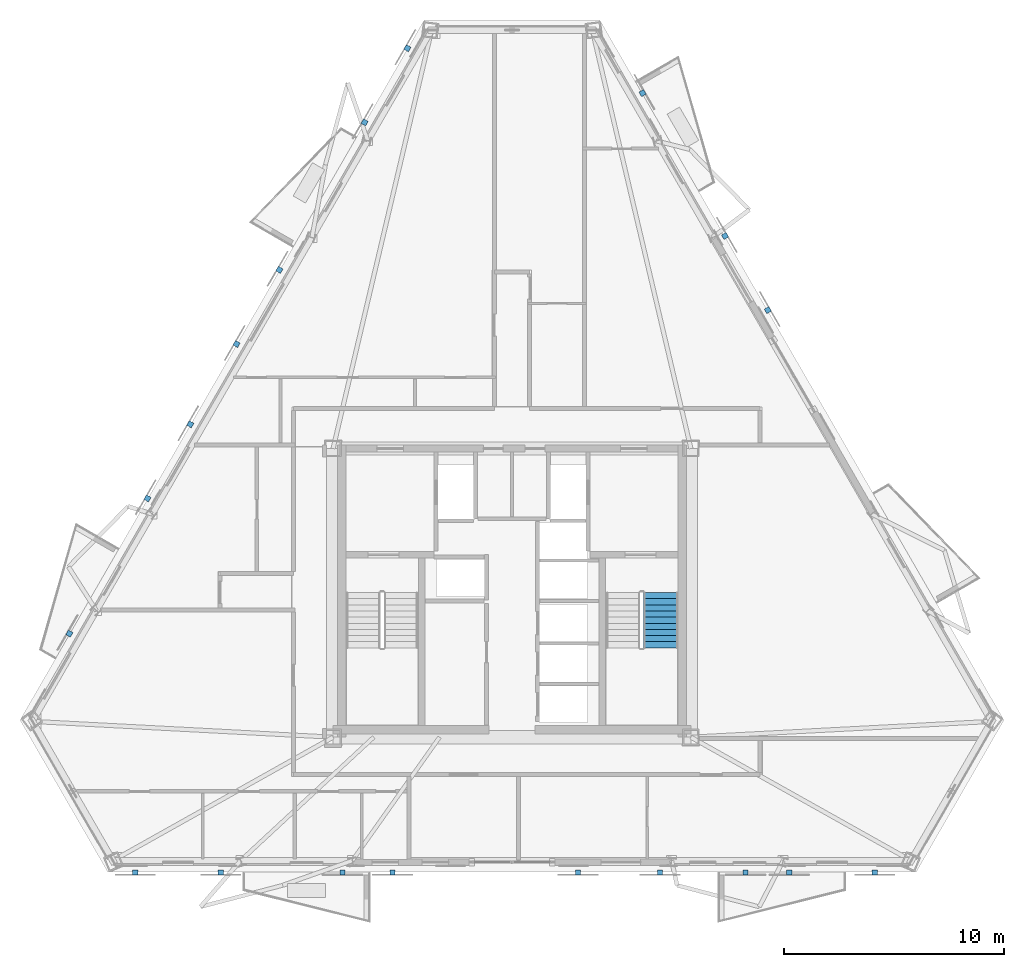
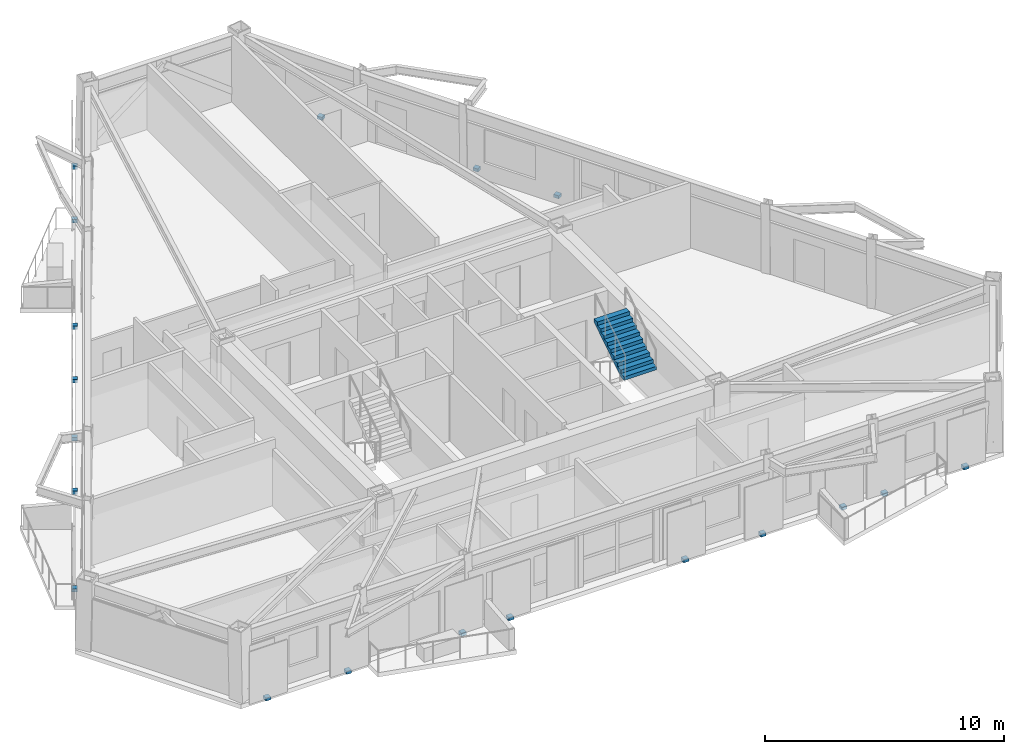
# One storey, part 9 of 13: 19 discrete accessories, 1 stair flight, 1 element without a shape of its own.
"""IFC4 building model written with IfcOpenShell, lengths in metres."""

import ifcopenshell
import ifcopenshell.guid

model = None  # the IFC model being written
_history = None  # IfcOwnerHistory: only IFC2X3 demands one
_inside = {}  # id of a spatial element -> (the spatial element, [elements in it])
_under = {}  # id of a project, library or spatial element -> (it, [spatial elements below it])
_declared = {}  # id of a project -> (the project, [libraries it declares])
_typed = {}  # id of a type object -> (the type object, [elements of that type])
_made_of = {}  # id of a material, layer set ... -> (it, [elements and type objects made of it])


def new_model(schema):
    """Start an empty IFC model of exactly this schema.

    Asked for "IFC4X3", IfcOpenShell would pick the latest addendum, in which some entities
    have other attributes; the version numbers below select the first issue.
    IFC2X3 requires an IfcOwnerHistory on every rooted entity: one is made here for all.
    """
    global model, _history
    if schema == "IFC4X3":
        model = ifcopenshell.file(schema_version=(4, 3, 0, 0))
    else:
        model = ifcopenshell.file(schema=schema)
    _inside.clear()
    _under.clear()
    _declared.clear()
    _typed.clear()
    _made_of.clear()
    _history = None
    if model.schema == "IFC2X3":
        org = make("IfcOrganization", Name="unknown")
        user = make(
            "IfcPersonAndOrganization",
            ThePerson=make("IfcPerson", FamilyName="unknown"),
            TheOrganization=org,
        )
        app = make(
            "IfcApplication",
            ApplicationDeveloper=org,
            Version="unknown",
            ApplicationFullName="unknown",
            ApplicationIdentifier="unknown",
        )
        _history = make(
            "IfcOwnerHistory",
            OwningUser=user,
            OwningApplication=app,
            ChangeAction="ADDED",
            CreationDate=0,
        )
    return model


def make(cls, **values):
    """One entity of the class cls with the attributes given. An attribute that is None is left unset."""
    return model.create_entity(
        cls, **{name: value for name, value in values.items() if value is not None}
    )


def rooted(cls, **values):
    """An entity with a GlobalId (a new one), such as an element, a storey or a relation."""
    return make(cls, GlobalId=ifcopenshell.guid.new(), OwnerHistory=_history, **values)


def si_unit(unit_type, name, prefix=None):
    """IfcSIUnit, for example si_unit("LENGTHUNIT", "METRE", prefix="MILLI")."""
    return make("IfcSIUnit", UnitType=unit_type, Prefix=prefix, Name=name)


def assignment(units):
    """IfcUnitAssignment: the units of a project."""
    return None if units is None else make("IfcUnitAssignment", Units=units)


def point(xyz):
    """IfcCartesianPoint."""
    return None if xyz is None else make("IfcCartesianPoint", Coordinates=xyz)


def direction(xyz):
    """IfcDirection."""
    return None if xyz is None else make("IfcDirection", DirectionRatios=xyz)


def frame(location, z_axis=None, x_axis=None):
    """IfcAxis2Placement3D, a coordinate frame: its origin and axes. An axis left out is left unset."""
    return make(
        "IfcAxis2Placement3D",
        Location=point(location),
        Axis=direction(z_axis),
        RefDirection=direction(x_axis),
    )


def frame_2d(location, x_axis=None):
    """IfcAxis2Placement2D, a coordinate frame in the plane: its origin and x axis."""
    return make(
        "IfcAxis2Placement2D", Location=point(location), RefDirection=direction(x_axis)
    )


def origin():
    """The frame at (0, 0, 0) with its axes left unset."""
    return frame((0.0, 0.0, 0.0))


def origin_2d():
    """The frame at (0, 0) in the plane with its x axis left unset."""
    return frame_2d((0.0, 0.0))


def place(relative_to, where):
    """IfcLocalPlacement: puts the frame where relative to a parent placement (None: the world)."""
    return make(
        "IfcLocalPlacement", PlacementRelTo=relative_to, RelativePlacement=where
    )


def context(
    kind, dimensions, precision=None, world=None, true_north=None, identifier=None
):
    """IfcGeometricRepresentationContext, for example the 3D "Model" context."""
    return make(
        "IfcGeometricRepresentationContext",
        ContextIdentifier=identifier,
        ContextType=kind,
        CoordinateSpaceDimension=dimensions,
        Precision=precision,
        WorldCoordinateSystem=world,
        TrueNorth=true_north,
    )


def subcontext(parent, identifier, kind, view, scale=None):
    """IfcGeometricRepresentationSubContext, for example "Body" below "Model"."""
    return make(
        "IfcGeometricRepresentationSubContext",
        ContextIdentifier=identifier,
        ContextType=kind,
        ParentContext=parent,
        TargetScale=scale,
        TargetView=view,
    )


def project(units=None, contexts=None):
    """IfcProject with its units and contexts."""
    return rooted(
        "IfcProject",
        Name="project",
        RepresentationContexts=contexts,
        UnitsInContext=assignment(units),
    )


def spatial(cls, under=None, at=None, **own):
    """A site, building, storey or space (cls), placed at a placement, below another one or the project."""
    s = rooted(cls, ObjectPlacement=at, **own)
    if under is not None:
        _under.setdefault(under.id(), (under, []))[1].append(s)
    return s


def polyline(points):
    """IfcPolyline through the points."""
    return make("IfcPolyline", Points=[point(p) for p in points])


def profile(cls, at=None, kind="AREA", **sizes):
    """A parametric profile (cls). Its sizes go by their IFC names, for example OverallWidth=200.0."""
    return make(cls, ProfileType=kind, Position=at, **sizes)


def rectangle(**sizes):
    """IfcRectangleProfileDef."""
    return profile("IfcRectangleProfileDef", **sizes)


def outline(outer, holes=None, kind="AREA"):
    """IfcArbitraryClosedProfileDef: a profile drawn as a closed curve; with holes, ...WithVoids."""
    if holes is None:
        return make("IfcArbitraryClosedProfileDef", ProfileType=kind, OuterCurve=outer)
    return make(
        "IfcArbitraryProfileDefWithVoids",
        ProfileType=kind,
        OuterCurve=outer,
        InnerCurves=holes,
    )


def extrude(swept, where, along, depth):
    """IfcExtrudedAreaSolid: the profile swept, set in the frame where, extruded along a direction by depth."""
    return make(
        "IfcExtrudedAreaSolid",
        SweptArea=swept,
        Position=where,
        ExtrudedDirection=direction(along),
        Depth=depth,
    )


def shape(context_of_items, identifier, shape_type, items):
    """IfcShapeRepresentation: the items that make up one representation, for example the "Body"."""
    return make(
        "IfcShapeRepresentation",
        ContextOfItems=context_of_items,
        RepresentationIdentifier=identifier,
        RepresentationType=shape_type,
        Items=items,
    )


def material(Name=None, Category=None):
    """IfcMaterial."""
    return make("IfcMaterial", Name=Name, Category=Category)


def made_of(thing, what):
    """Note that an element or type object is made of a material, layer set ...; save() writes the relation."""
    if what is not None:
        _made_of.setdefault(what.id(), (what, []))[1].append(thing)
    return thing


def type_object(cls, material=None, **own):
    """A type object (cls), such as IfcWallType, which elements share."""
    return made_of(rooted(cls, **own), material)


def element(
    cls,
    number,
    at=None,
    inside=None,
    cuts=None,
    type_object=None,
    material=None,
    context=None,
    identifier="Body",
    shape_type=None,
    held_by="IfcProductDefinitionShape",
    body=None,
    shapes=None,
    **own,
):
    """One element of the class cls, such as IfcWall. Its Tag is "e" and its number.

    at: its placement. inside: the storey or other place that contains it. cuts: it is an
    opening in that element (IfcRelVoidsElement). A single representation is given by context,
    identifier, shape_type and body (its items); several are given by shapes. held_by: the class
    of the entity that holds the representations. save() writes the other relations.
    """
    e = rooted(cls, Tag="e%d" % number, ObjectPlacement=at, **own)
    if body is not None:
        shapes = [shape(context, identifier, shape_type, body)]
    if shapes is not None:
        e.Representation = make(held_by, Representations=shapes)
    if inside is not None:
        _inside.setdefault(inside.id(), (inside, []))[1].append(e)
    if cuts is not None:
        rooted(
            "IfcRelVoidsElement", RelatingBuildingElement=cuts, RelatedOpeningElement=e
        )
    if type_object is not None:
        _typed.setdefault(type_object.id(), (type_object, []))[1].append(e)
    return made_of(e, material)


def aggregate(whole, parts):
    """IfcRelAggregates: a whole, such as a stair, and the parts it consists of."""
    return rooted("IfcRelAggregates", RelatingObject=whole, RelatedObjects=parts)


def save(model, path):
    """Write the relations noted so far, then the file.

    IfcRelAggregates (storeys below a building ...), IfcRelContainedInSpatialStructure (elements
    in a storey), IfcRelDefinesByType, IfcRelAssociatesMaterial and IfcRelDeclares: one each for
    every whole, place, type object, material and project.
    """
    for whole, parts in _under.values():
        aggregate(whole, parts)
    for where, things in _inside.values():
        rooted(
            "IfcRelContainedInSpatialStructure",
            RelatedElements=things,
            RelatingStructure=where,
        )
    for kind, things in _typed.values():
        rooted("IfcRelDefinesByType", RelatedObjects=things, RelatingType=kind)
    for what, things in _made_of.values():
        rooted("IfcRelAssociatesMaterial", RelatedObjects=things, RelatingMaterial=what)
    for by, libraries in _declared.values():
        rooted("IfcRelDeclares", RelatingContext=by, RelatedDefinitions=libraries)
    model.write(path)


model = new_model("IFC4")

# Units and contexts
model_context = context("Model", 3, precision=1e-05, world=origin(), true_north=direction((0.0, 1.0)))
body_context = subcontext(model_context, "Body", "Model", "MODEL_VIEW")
ifc_project = project(units=[si_unit("LENGTHUNIT", "METRE"), si_unit("AREAUNIT", "SQUARE_METRE"), si_unit("VOLUMEUNIT", "CUBIC_METRE"), si_unit("PLANEANGLEUNIT", "RADIAN"), si_unit("MASSUNIT", "GRAM", prefix="KILO")], contexts=[model_context])

# Site, building, storey
site_placement = place(None, origin())
site = spatial("IfcSite", under=ifc_project, at=site_placement, CompositionType="ELEMENT")
building_placement = place(site_placement, origin())
building = spatial("IfcBuilding", under=site, at=building_placement, Name="Oramaril Tower", CompositionType="ELEMENT")
storey_placement = place(building_placement, frame((0.0, 0.0, 197.39990234375)))
storey = spatial("IfcBuildingStorey", under=building, at=storey_placement, Name="L52", CompositionType="ELEMENT", Elevation=197.39990234375)

# Stair, stair flight
ifc_material_1 = material(Name="Concrete C50/60", Category="concrete")
stair_type = type_object("IfcStairType", Name="STT-DG-3600", PredefinedType="HALF_TURN_STAIR", material=ifc_material_1)
stair_placement = place(storey_placement, origin())
stair = element("IfcStair", 1, at=stair_placement, inside=storey, type_object=stair_type, Name="L52 Protected PFP Exit Stair ST-2", PredefinedType="HALF_TURN_STAIR")
ifc_material_2 = material(Name="Concrete C50/60", Category="concrete")
stair_flight_type = type_object("IfcStairFlightType", Name="SFT-DG-3600", PredefinedType="STRAIGHT", material=ifc_material_2)
stair_flight_placement = place(storey_placement, frame((44.27001953125, 15.070068359375, 1.800048828125), z_axis=(0.0, 0.0, 1.0), x_axis=(0.0, 1.0, 0.0)))
stair_flight = element("IfcStairFlight", 2, at=stair_flight_placement, type_object=stair_flight_type, Name="ST-2 flight 2", NumberOfRisers=10, NumberOfTreads=9, PredefinedType="STRAIGHT", RiserHeight=0.18, TreadLength=0.28, context=body_context, shape_type="SweptSolid", body=[
    extrude(outline(polyline([(0.0, 0.0), (0.0, 0.179931640625), (0.280029296875, 0.179931640625), (0.280029296875, 0.360107421875), (0.56005859375, 0.360107421875), (0.56005859375, 0.5400390625), (0.840087890625, 0.5400390625), (0.840087890625, 0.719970703125), (1.1201171875, 0.719970703125), (1.1201171875, 0.89990234375), (1.39990234375, 0.89990234375), (1.39990234375, 1.080078125), (1.679931640625, 1.080078125), (1.679931640625, 1.260009765625), (1.9599609375, 1.260009765625), (1.9599609375, 1.43994140625), (2.239990234375, 1.43994140625), (2.239990234375, 1.6201171875), (2.52001953125, 1.6201171875), (2.52001953125, 1.800048828125), (2.52001953125, 1.44189453125), (0.277099609375, 0.0), (0.0, 0.0)])), frame((0.0, 0.780029296875, 0.0), z_axis=(0.0, -1.0, 0.0), x_axis=(1.0, 0.0, 0.0)), (0.0, 0.0, 1.0), 1.56005859375),
])
aggregate(stair, [stair_flight])

# Discrete accessories
for number, where, z_axis, x_axis, name in (
    (3, (32.0595703125, 4.83154296875, -0.1396484375), (0.0, 0.0, 1.0), (1.0, 0.0, 0.0), "L52 Solar Screen Slab Bracket"),
    (4, (20.337158203125, 4.83154296875, -0.1396484375), (0.0, 0.0, 1.0), (1.0, 0.0, 0.0), "L52 Solar Screen Slab Bracket"),
    (5, (24.237060546875, 4.83154296875, -0.1396484375), (0.0, 0.0, 1.0), (1.0, 0.0, 0.0), "L52 Solar Screen Slab Bracket"),
    (6, (29.77783203125, 4.83154296875, -0.1396484375), (0.0, 0.0, 1.0), (1.0, 0.0, 0.0), "L52 Solar Screen Slab Bracket"),
    (7, (44.23681640625, 4.83154296875, -0.1396484375), (0.0, 0.0, 1.0), (1.0, 0.0, 0.0), "L52 Solar Screen Slab Bracket"),
    (8, (48.136962890625, 4.83154296875, -0.1396484375), (0.0, 0.0, 1.0), (1.0, 0.0, 0.0), "L52 Solar Screen Slab Bracket"),
    (9, (50.12451171875, 4.83154296875, -0.1396484375), (0.0, 0.0, 1.0), (1.0, 0.0, 0.0), "L52 Solar Screen Slab Bracket"),
    (10, (54.024658203125, 4.83154296875, -0.1396484375), (0.0, 0.0, 1.0), (1.0, 0.0, 0.0), "L52 Solar Screen Slab Bracket"),
    (11, (40.506103515625, 4.83154296875, -0.1396484375), (0.0, 0.0, 1.0), (1.0, 0.0, 0.0), "L52 Solar Screen Slab Bracket"),
    (12, (43.44482421875, 40.340087890625, -0.1396484375), (0.0, 0.0, 1.0), (-0.4999984885, 0.866026276448, 0.0), "L52 Solar Screen Slab Bracket"),
    (13, (49.1533203125, 30.452880859375, -0.1396484375), (0.0, 0.0, 1.0), (-0.4999984885, 0.866026276448, 0.0), "L52 Solar Screen Slab Bracket"),
    (14, (47.203369140625, 33.830322265625, -0.1396484375), (0.0, 0.0, 1.0), (-0.4999984885, 0.866026276448, 0.0), "L52 Solar Screen Slab Bracket"),
    (15, (17.33935546875, 15.7177734375, -0.1396484375), (0.0, 0.0, 1.0), (-0.5, -0.866025403784, 0.0), "L52 Solar Screen Slab Bracket"),
    (16, (22.845458984375, 25.25439453125, -0.1396484375), (0.0, 0.0, 1.0), (-0.5, -0.866025403784, 0.0), "L52 Solar Screen Slab Bracket"),
    (17, (20.8955078125, 21.876953125, -0.1396484375), (0.0, 0.0, 1.0), (-0.5, -0.866025403784, 0.0), "L52 Solar Screen Slab Bracket"),
    (18, (32.734619140625, 42.38330078125, -0.1396484375), (0.0, 0.0, 1.0), (-0.5, -0.866025403784, 0.0), "L52 Solar Screen Slab Bracket"),
    (19, (30.78466796875, 39.005615234375, -0.1396484375), (0.0, 0.0, 1.0), (-0.5, -0.866025403784, 0.0), "L52 Solar Screen Slab Bracket"),
    (20, (26.905517578125, 32.286865234375, -0.1396484375), (0.0, 0.0, 1.0), (-0.5, -0.866025403784, 0.0), "L52 Solar Screen Slab Bracket"),
    (21, (24.95556640625, 28.9091796875, -0.1396484375), (0.0, 0.0, 1.0), (-0.5, -0.866025403784, 0.0), "L52 Solar Screen Slab Bracket"),
):
    element("IfcDiscreteAccessory", number, at=place(storey_placement, frame(where, z_axis=z_axis, x_axis=x_axis)), inside=storey, Name=name, PredefinedType="BRACKET", context=body_context, shape_type="SweptSolid", body=[
        extrude(rectangle(XDim=0.239990234375, YDim=0.239990234375, at=origin_2d()), origin(), (0.0, 0.0, 1.0), 0.159912109375),
    ])

save(model, "model.ifc")
